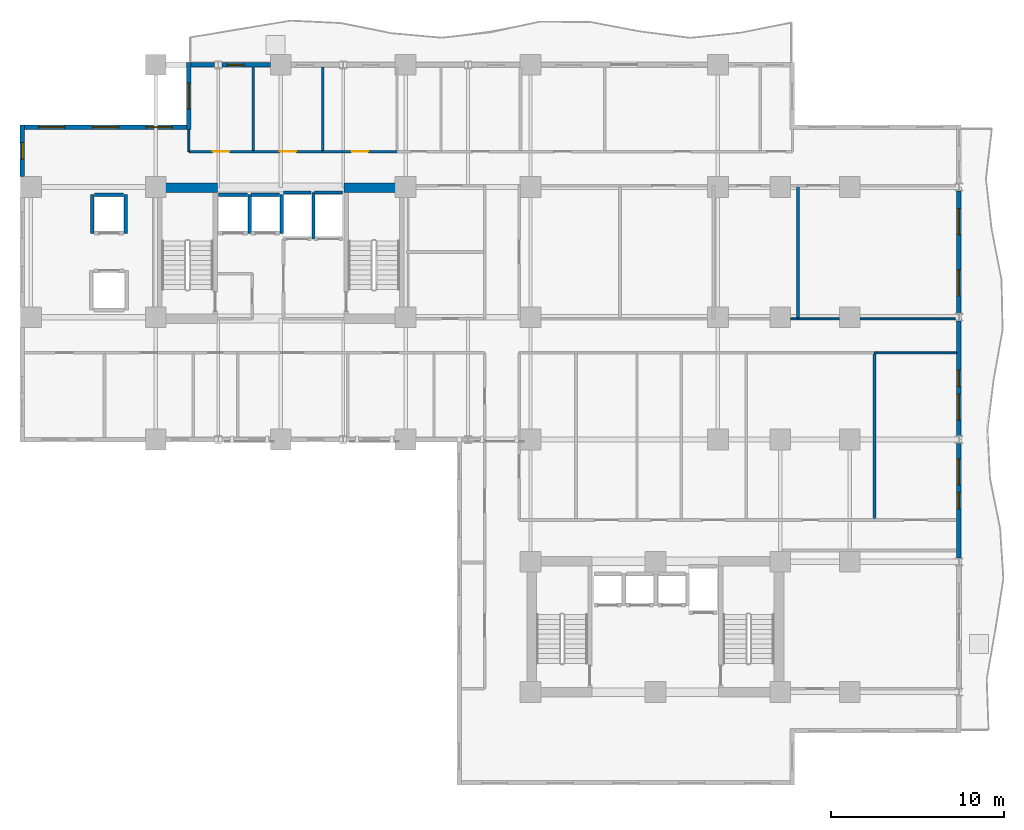
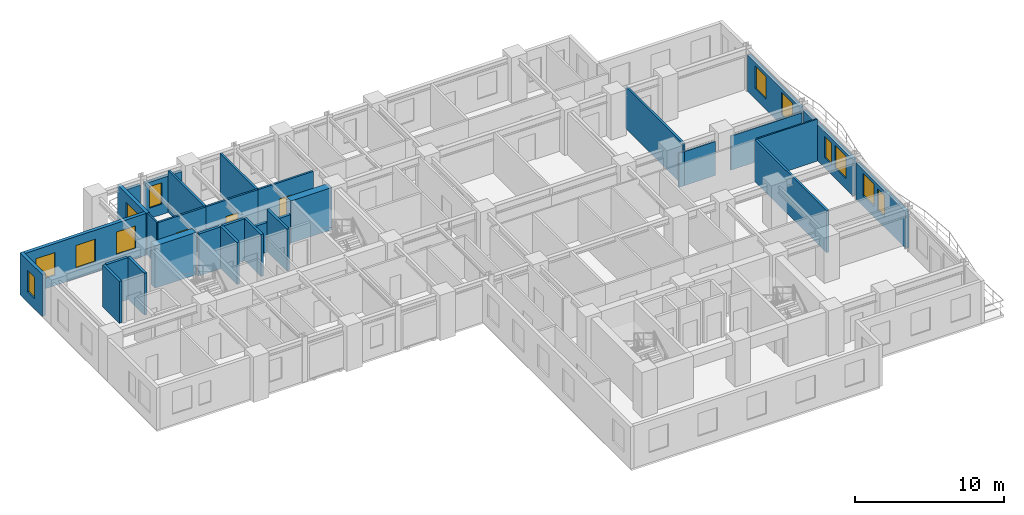
# One storey, part 6 of 11: 32 walls, 12 windows, 3 doors, 15 openings.
"""IFC4 building model written with IfcOpenShell, lengths in metres."""

import ifcopenshell
import ifcopenshell.guid

model = None  # the IFC model being written
_history = None  # IfcOwnerHistory: only IFC2X3 demands one
_inside = {}  # id of a spatial element -> (the spatial element, [elements in it])
_under = {}  # id of a project, library or spatial element -> (it, [spatial elements below it])
_declared = {}  # id of a project -> (the project, [libraries it declares])
_typed = {}  # id of a type object -> (the type object, [elements of that type])
_made_of = {}  # id of a material, layer set ... -> (it, [elements and type objects made of it])


def new_model(schema):
    """Start an empty IFC model of exactly this schema.

    Asked for "IFC4X3", IfcOpenShell would pick the latest addendum, in which some entities
    have other attributes; the version numbers below select the first issue.
    IFC2X3 requires an IfcOwnerHistory on every rooted entity: one is made here for all.
    """
    global model, _history
    if schema == "IFC4X3":
        model = ifcopenshell.file(schema_version=(4, 3, 0, 0))
    else:
        model = ifcopenshell.file(schema=schema)
    _inside.clear()
    _under.clear()
    _declared.clear()
    _typed.clear()
    _made_of.clear()
    _history = None
    if model.schema == "IFC2X3":
        org = make("IfcOrganization", Name="unknown")
        user = make(
            "IfcPersonAndOrganization",
            ThePerson=make("IfcPerson", FamilyName="unknown"),
            TheOrganization=org,
        )
        app = make(
            "IfcApplication",
            ApplicationDeveloper=org,
            Version="unknown",
            ApplicationFullName="unknown",
            ApplicationIdentifier="unknown",
        )
        _history = make(
            "IfcOwnerHistory",
            OwningUser=user,
            OwningApplication=app,
            ChangeAction="ADDED",
            CreationDate=0,
        )
    return model


def make(cls, **values):
    """One entity of the class cls with the attributes given. An attribute that is None is left unset."""
    return model.create_entity(
        cls, **{name: value for name, value in values.items() if value is not None}
    )


def rooted(cls, **values):
    """An entity with a GlobalId (a new one), such as an element, a storey or a relation."""
    return make(cls, GlobalId=ifcopenshell.guid.new(), OwnerHistory=_history, **values)


def si_unit(unit_type, name, prefix=None):
    """IfcSIUnit, for example si_unit("LENGTHUNIT", "METRE", prefix="MILLI")."""
    return make("IfcSIUnit", UnitType=unit_type, Prefix=prefix, Name=name)


def assignment(units):
    """IfcUnitAssignment: the units of a project."""
    return None if units is None else make("IfcUnitAssignment", Units=units)


def point(xyz):
    """IfcCartesianPoint."""
    return None if xyz is None else make("IfcCartesianPoint", Coordinates=xyz)


def direction(xyz):
    """IfcDirection."""
    return None if xyz is None else make("IfcDirection", DirectionRatios=xyz)


def frame(location, z_axis=None, x_axis=None):
    """IfcAxis2Placement3D, a coordinate frame: its origin and axes. An axis left out is left unset."""
    return make(
        "IfcAxis2Placement3D",
        Location=point(location),
        Axis=direction(z_axis),
        RefDirection=direction(x_axis),
    )


def frame_2d(location, x_axis=None):
    """IfcAxis2Placement2D, a coordinate frame in the plane: its origin and x axis."""
    return make(
        "IfcAxis2Placement2D", Location=point(location), RefDirection=direction(x_axis)
    )


def origin():
    """The frame at (0, 0, 0) with its axes left unset."""
    return frame((0.0, 0.0, 0.0))


def place(relative_to, where):
    """IfcLocalPlacement: puts the frame where relative to a parent placement (None: the world)."""
    return make(
        "IfcLocalPlacement", PlacementRelTo=relative_to, RelativePlacement=where
    )


def context(
    kind, dimensions, precision=None, world=None, true_north=None, identifier=None
):
    """IfcGeometricRepresentationContext, for example the 3D "Model" context."""
    return make(
        "IfcGeometricRepresentationContext",
        ContextIdentifier=identifier,
        ContextType=kind,
        CoordinateSpaceDimension=dimensions,
        Precision=precision,
        WorldCoordinateSystem=world,
        TrueNorth=true_north,
    )


def subcontext(parent, identifier, kind, view, scale=None):
    """IfcGeometricRepresentationSubContext, for example "Body" below "Model"."""
    return make(
        "IfcGeometricRepresentationSubContext",
        ContextIdentifier=identifier,
        ContextType=kind,
        ParentContext=parent,
        TargetScale=scale,
        TargetView=view,
    )


def project(units=None, contexts=None):
    """IfcProject with its units and contexts."""
    return rooted(
        "IfcProject",
        Name="project",
        RepresentationContexts=contexts,
        UnitsInContext=assignment(units),
    )


def spatial(cls, under=None, at=None, **own):
    """A site, building, storey or space (cls), placed at a placement, below another one or the project."""
    s = rooted(cls, ObjectPlacement=at, **own)
    if under is not None:
        _under.setdefault(under.id(), (under, []))[1].append(s)
    return s


def profile(cls, at=None, kind="AREA", **sizes):
    """A parametric profile (cls). Its sizes go by their IFC names, for example OverallWidth=200.0."""
    return make(cls, ProfileType=kind, Position=at, **sizes)


def rectangle(**sizes):
    """IfcRectangleProfileDef."""
    return profile("IfcRectangleProfileDef", **sizes)


def extrude(swept, where, along, depth):
    """IfcExtrudedAreaSolid: the profile swept, set in the frame where, extruded along a direction by depth."""
    return make(
        "IfcExtrudedAreaSolid",
        SweptArea=swept,
        Position=where,
        ExtrudedDirection=direction(along),
        Depth=depth,
    )


def shape(context_of_items, identifier, shape_type, items):
    """IfcShapeRepresentation: the items that make up one representation, for example the "Body"."""
    return make(
        "IfcShapeRepresentation",
        ContextOfItems=context_of_items,
        RepresentationIdentifier=identifier,
        RepresentationType=shape_type,
        Items=items,
    )


def material(Name=None, Category=None):
    """IfcMaterial."""
    return make("IfcMaterial", Name=Name, Category=Category)


def layer(
    of_material, thickness, ventilated=None, Name=None, Category=None, Priority=None
):
    """IfcMaterialLayer: one layer of a wall or slab, of a material (None: an air gap)."""
    return make(
        "IfcMaterialLayer",
        Material=of_material,
        LayerThickness=thickness,
        IsVentilated=ventilated,
        Name=Name,
        Category=Category,
        Priority=Priority,
    )


def layer_set(layers, Name=None):
    """IfcMaterialLayerSet."""
    return make("IfcMaterialLayerSet", MaterialLayers=layers, LayerSetName=Name)


def made_of(thing, what):
    """Note that an element or type object is made of a material, layer set ...; save() writes the relation."""
    if what is not None:
        _made_of.setdefault(what.id(), (what, []))[1].append(thing)
    return thing


def type_object(cls, material=None, **own):
    """A type object (cls), such as IfcWallType, which elements share."""
    return made_of(rooted(cls, **own), material)


def element(
    cls,
    number,
    at=None,
    inside=None,
    cuts=None,
    type_object=None,
    material=None,
    context=None,
    identifier="Body",
    shape_type=None,
    held_by="IfcProductDefinitionShape",
    body=None,
    shapes=None,
    **own,
):
    """One element of the class cls, such as IfcWall. Its Tag is "e" and its number.

    at: its placement. inside: the storey or other place that contains it. cuts: it is an
    opening in that element (IfcRelVoidsElement). A single representation is given by context,
    identifier, shape_type and body (its items); several are given by shapes. held_by: the class
    of the entity that holds the representations. save() writes the other relations.
    """
    e = rooted(cls, Tag="e%d" % number, ObjectPlacement=at, **own)
    if body is not None:
        shapes = [shape(context, identifier, shape_type, body)]
    if shapes is not None:
        e.Representation = make(held_by, Representations=shapes)
    if inside is not None:
        _inside.setdefault(inside.id(), (inside, []))[1].append(e)
    if cuts is not None:
        rooted(
            "IfcRelVoidsElement", RelatingBuildingElement=cuts, RelatedOpeningElement=e
        )
    if type_object is not None:
        _typed.setdefault(type_object.id(), (type_object, []))[1].append(e)
    return made_of(e, material)


def fill(opening, filler):
    """IfcRelFillsElement: the door or window that sits in an opening."""
    return rooted(
        "IfcRelFillsElement",
        RelatingOpeningElement=opening,
        RelatedBuildingElement=filler,
    )


def aggregate(whole, parts):
    """IfcRelAggregates: a whole, such as a stair, and the parts it consists of."""
    return rooted("IfcRelAggregates", RelatingObject=whole, RelatedObjects=parts)


def save(model, path):
    """Write the relations noted so far, then the file.

    IfcRelAggregates (storeys below a building ...), IfcRelContainedInSpatialStructure (elements
    in a storey), IfcRelDefinesByType, IfcRelAssociatesMaterial and IfcRelDeclares: one each for
    every whole, place, type object, material and project.
    """
    for whole, parts in _under.values():
        aggregate(whole, parts)
    for where, things in _inside.values():
        rooted(
            "IfcRelContainedInSpatialStructure",
            RelatedElements=things,
            RelatingStructure=where,
        )
    for kind, things in _typed.values():
        rooted("IfcRelDefinesByType", RelatedObjects=things, RelatingType=kind)
    for what, things in _made_of.values():
        rooted("IfcRelAssociatesMaterial", RelatedObjects=things, RelatingMaterial=what)
    for by, libraries in _declared.values():
        rooted("IfcRelDeclares", RelatingContext=by, RelatedDefinitions=libraries)
    model.write(path)


model = new_model("IFC4")

# Units and contexts
model_context = context("Model", 3, precision=1e-05, world=origin(), true_north=direction((0.0, 1.0)))
body_context = subcontext(model_context, "Body", "Model", "MODEL_VIEW")
ifc_project = project(units=[si_unit("LENGTHUNIT", "METRE"), si_unit("AREAUNIT", "SQUARE_METRE"), si_unit("VOLUMEUNIT", "CUBIC_METRE"), si_unit("PLANEANGLEUNIT", "RADIAN"), si_unit("MASSUNIT", "GRAM", prefix="KILO")], contexts=[model_context])

# Site, building, storey
site_placement = place(None, origin())
site = spatial("IfcSite", under=ifc_project, at=site_placement, CompositionType="ELEMENT")
building_placement = place(site_placement, origin())
building = spatial("IfcBuilding", under=site, at=building_placement, Name="Kaliganga Portal Commons", CompositionType="ELEMENT")
storey_placement = place(building_placement, frame((0.0, 0.0, 119.300048828125)))
storey = spatial("IfcBuildingStorey", under=building, at=storey_placement, Name="L30", CompositionType="ELEMENT", Elevation=119.300048828125)

# Walls
ifc_material_1 = material(Name="Concrete C60/75", Category="concrete")
ifc_layer_1 = layer(ifc_material_1, 0.550048828125)
ifc_layer_set_1 = layer_set([ifc_layer_1], Name="Concrete C60/75")
wall_type_1 = type_object("IfcWallType", Name="WL-CORE-550", PredefinedType="SHEAR", material=ifc_layer_set_1)
for number, where, z_axis, x_axis, name in (
    (1, (14.75, 36.125, 0.0), (0.0, 0.0, 1.0), (1.0, 0.0, 0.0), "Core A N-West Shear Wall L30"),
    (2, (25.25, 36.125, 0.0), (0.0, 0.0, 1.0), (1.0, 0.0, 0.0), "Core A N-East Shear Wall L30"),
):
    element("IfcWall", number, at=place(storey_placement, frame(where, z_axis=z_axis, x_axis=x_axis)), inside=storey, type_object=wall_type_1, Name=name, PredefinedType="SHEAR", context=body_context, shape_type="SweptSolid", body=[
        extrude(rectangle(XDim=3.199951171875, YDim=0.550048828125, at=frame_2d((1.60009765625, 0.0))), origin(), (0.0, 0.0, 1.0), 3.449951171875),
    ])

# Wall, openings, windows
ifc_material_2 = material(Name="Insulated Aluminium-Clad Spandrel Assembly", Category="aluminium")
ifc_layer_2 = layer(ifc_material_2, 0.260009765625)
ifc_layer_set_2 = layer_set([ifc_layer_2], Name="Insulated Aluminium-Clad Spandrel Assembly")
wall_type_2 = type_object("IfcWallType", Name="WL-EXT-SPAND-260", PredefinedType="STANDARD", material=ifc_layer_set_2)
wall_1_placement = place(storey_placement, frame((60.699951171875, 21.384033203125, 0.0), z_axis=(0.0, 0.0, 1.0), x_axis=(0.0, -1.0, 0.0)))
wall_1 = element("IfcWall", 3, at=wall_1_placement, inside=storey, type_object=wall_type_2, Name="Exterior Envelope Wall L30 P1-E03-S3", PredefinedType="STANDARD", context=body_context, shape_type="SweptSolid", body=[
    extrude(rectangle(XDim=6.617919921875, YDim=0.260009765625, at=frame_2d((3.30908203125, 0.0))), origin(), (0.0, 0.0, 1.0), 2.97998046875),
])
opening_1_placement = place(wall_1_placement, frame((0.904541015625, 0.0, 0.85009765625)))
opening_1 = element("IfcOpeningElement", 4, at=opening_1_placement, cuts=wall_1, Name="Opening W-02", PredefinedType="OPENING", context=body_context, shape_type="SweptSolid", body=[
    extrude(rectangle(XDim=1.5, YDim=1.85009765625, at=frame_2d((0.75, 0.925048828125))), frame((0.0, 0.14013671875, 0.0), z_axis=(0.0, -1.0, 0.0), x_axis=(1.0, 0.0, 0.0)), (0.0, 0.0, 1.0), 0.280029296875),
])
opening_2_placement = place(wall_1_placement, frame((2.833984375, 0.0, 0.85009765625)))
opening_2 = element("IfcOpeningElement", 5, at=opening_2_placement, cuts=wall_1, Name="Opening W-04", PredefinedType="OPENING", context=body_context, shape_type="SweptSolid", body=[
    extrude(rectangle(XDim=0.949951171875, YDim=1.75, at=frame_2d((0.47509765625, 0.875))), frame((0.0, 0.14013671875, 0.0), z_axis=(0.0, -1.0, 0.0), x_axis=(1.0, 0.0, 0.0)), (0.0, 0.0, 1.0), 0.280029296875),
])
ifc_material_3 = material(Name="Thermally Broken Aluminium and Low-E Double Glazing", Category="aluminium")
window_type_1 = type_object("IfcWindowType", Name="WIN-NARROW-950", PartitioningType="SINGLE_PANEL", PredefinedType="WINDOW", material=ifc_material_3)
window_1_placement = place(opening_2_placement, origin())
window_1 = element("IfcWindow", 6, at=window_1_placement, inside=storey, type_object=window_type_1, Name="Facade Window L30-P1E03S3-N0", OverallHeight=1.75, OverallWidth=0.949951171875, PartitioningType="SINGLE_PANEL", PredefinedType="WINDOW", context=body_context, shape_type="SweptSolid", body=[
    extrude(rectangle(XDim=0.949951171875, YDim=1.75, at=frame_2d((0.47509765625, 0.875))), frame((0.0, 0.030029296875, 0.0), z_axis=(0.0, -1.0, 0.0), x_axis=(1.0, 0.0, 0.0)), (0.0, 0.0, 1.0), 0.06005859375),
])
fill(opening_2, window_1)
window_type_2 = type_object("IfcWindowType", Name="WIN-STD-1500", PartitioningType="DOUBLE_PANEL_VERTICAL", PredefinedType="WINDOW", material=ifc_material_3)
window_2_placement = place(opening_1_placement, origin())
window_2 = element("IfcWindow", 7, at=window_2_placement, inside=storey, type_object=window_type_2, Name="Facade Window L30-P1E03S3-00", OverallHeight=1.85009765625, OverallWidth=1.5, PartitioningType="SINGLE_PANEL", PredefinedType="WINDOW", context=body_context, shape_type="SweptSolid", body=[
    extrude(rectangle(XDim=1.5, YDim=1.85009765625, at=frame_2d((0.75, 0.925048828125))), frame((0.0, 0.030029296875, 0.0), z_axis=(0.0, -1.0, 0.0), x_axis=(1.0, 0.0, 0.0)), (0.0, 0.0, 1.0), 0.06005859375),
])
fill(opening_1, window_2)

wall_2_placement = place(storey_placement, frame((60.699951171875, 28.43408203125, 0.0), z_axis=(0.0, 0.0, 1.0), x_axis=(0.0, -1.0, 0.0)))
wall_2 = element("IfcWall", 8, at=wall_2_placement, inside=storey, type_object=wall_type_2, Name="Exterior Envelope Wall L30 P1-E03-S4", PredefinedType="STANDARD", context=body_context, shape_type="SweptSolid", body=[
    extrude(rectangle(XDim=6.6181640625, YDim=0.260009765625, at=frame_2d((3.30908203125, 0.0))), origin(), (0.0, 0.0, 1.0), 2.97998046875),
])
opening_3_placement = place(wall_2_placement, frame((4.21337890625, 0.0, 0.85009765625)))
opening_3 = element("IfcOpeningElement", 9, at=opening_3_placement, cuts=wall_2, Name="Opening W-02", PredefinedType="OPENING", context=body_context, shape_type="SweptSolid", body=[
    extrude(rectangle(XDim=1.5, YDim=1.85009765625, at=frame_2d((0.75, 0.925048828125))), frame((0.0, 0.14013671875, 0.0), z_axis=(0.0, -1.0, 0.0), x_axis=(1.0, 0.0, 0.0)), (0.0, 0.0, 1.0), 0.280029296875),
])
opening_4_placement = place(wall_2_placement, frame((2.833984375, 0.0, 0.85009765625)))
opening_4 = element("IfcOpeningElement", 10, at=opening_4_placement, cuts=wall_2, Name="Opening W-04", PredefinedType="OPENING", context=body_context, shape_type="SweptSolid", body=[
    extrude(rectangle(XDim=0.949951171875, YDim=1.75, at=frame_2d((0.47509765625, 0.875))), frame((0.0, 0.14013671875, 0.0), z_axis=(0.0, -1.0, 0.0), x_axis=(1.0, 0.0, 0.0)), (0.0, 0.0, 1.0), 0.280029296875),
])
window_3_placement = place(opening_4_placement, origin())
window_3 = element("IfcWindow", 11, at=window_3_placement, inside=storey, type_object=window_type_1, Name="Facade Window L30-P1E03S4-N0", OverallHeight=1.75, OverallWidth=0.949951171875, PartitioningType="SINGLE_PANEL", PredefinedType="WINDOW", context=body_context, shape_type="SweptSolid", body=[
    extrude(rectangle(XDim=0.949951171875, YDim=1.75, at=frame_2d((0.47509765625, 0.875))), frame((0.0, 0.030029296875, 0.0), z_axis=(0.0, -1.0, 0.0), x_axis=(1.0, 0.0, 0.0)), (0.0, 0.0, 1.0), 0.06005859375),
])
fill(opening_4, window_3)
window_4_placement = place(opening_3_placement, origin())
window_4 = element("IfcWindow", 12, at=window_4_placement, inside=storey, type_object=window_type_2, Name="Facade Window L30-P1E03S4-01", OverallHeight=1.85009765625, OverallWidth=1.5, PartitioningType="SINGLE_PANEL", PredefinedType="WINDOW", context=body_context, shape_type="SweptSolid", body=[
    extrude(rectangle(XDim=1.5, YDim=1.85009765625, at=frame_2d((0.75, 0.925048828125))), frame((0.0, 0.030029296875, 0.0), z_axis=(0.0, -1.0, 0.0), x_axis=(1.0, 0.0, 0.0)), (0.0, 0.0, 1.0), 0.06005859375),
])
fill(opening_3, window_4)

wall_3_placement = place(storey_placement, frame((60.699951171875, 35.93408203125, 0.0), z_axis=(0.0, 0.0, 1.0), x_axis=(0.0, -1.0, 0.0)))
wall_3 = element("IfcWall", 13, at=wall_3_placement, inside=storey, type_object=wall_type_2, Name="Exterior Envelope Wall L30 P1-E03-S5", PredefinedType="STANDARD", context=body_context, shape_type="SweptSolid", body=[
    extrude(rectangle(XDim=7.068115234375, YDim=0.260009765625, at=frame_2d((3.5341796875, 0.0))), origin(), (0.0, 0.0, 1.0), 2.97998046875),
])
opening_5_placement = place(wall_3_placement, frame((1.01708984375, 0.0, 0.85009765625)))
opening_5 = element("IfcOpeningElement", 14, at=opening_5_placement, cuts=wall_3, Name="Opening W-02", PredefinedType="OPENING", context=body_context, shape_type="SweptSolid", body=[
    extrude(rectangle(XDim=1.5, YDim=1.85009765625, at=frame_2d((0.75, 0.925048828125))), frame((0.0, 0.14013671875, 0.0), z_axis=(0.0, -1.0, 0.0), x_axis=(1.0, 0.0, 0.0)), (0.0, 0.0, 1.0), 0.280029296875),
])
opening_6_placement = place(wall_3_placement, frame((4.551025390625, 0.0, 0.85009765625)))
opening_6 = element("IfcOpeningElement", 15, at=opening_6_placement, cuts=wall_3, Name="Opening W-02", PredefinedType="OPENING", context=body_context, shape_type="SweptSolid", body=[
    extrude(rectangle(XDim=1.5, YDim=1.85009765625, at=frame_2d((0.75, 0.925048828125))), frame((0.0, 0.14013671875, 0.0), z_axis=(0.0, -1.0, 0.0), x_axis=(1.0, 0.0, 0.0)), (0.0, 0.0, 1.0), 0.280029296875),
])
window_5_placement = place(opening_5_placement, origin())
window_5 = element("IfcWindow", 16, at=window_5_placement, inside=storey, type_object=window_type_2, Name="Facade Window L30-P1E03S5-00", OverallHeight=1.85009765625, OverallWidth=1.5, PartitioningType="SINGLE_PANEL", PredefinedType="WINDOW", context=body_context, shape_type="SweptSolid", body=[
    extrude(rectangle(XDim=1.5, YDim=1.85009765625, at=frame_2d((0.75, 0.925048828125))), frame((0.0, 0.030029296875, 0.0), z_axis=(0.0, -1.0, 0.0), x_axis=(1.0, 0.0, 0.0)), (0.0, 0.0, 1.0), 0.06005859375),
])
fill(opening_5, window_5)
window_6_placement = place(opening_6_placement, origin())
window_6 = element("IfcWindow", 17, at=window_6_placement, inside=storey, type_object=window_type_2, Name="Facade Window L30-P1E03S5-01", OverallHeight=1.85009765625, OverallWidth=1.5, PartitioningType="SINGLE_PANEL", PredefinedType="WINDOW", context=body_context, shape_type="SweptSolid", body=[
    extrude(rectangle(XDim=1.5, YDim=1.85009765625, at=frame_2d((0.75, 0.925048828125))), frame((0.0, 0.030029296875, 0.0), z_axis=(0.0, -1.0, 0.0), x_axis=(1.0, 0.0, 0.0)), (0.0, 0.0, 1.0), 0.06005859375),
])
fill(opening_6, window_6)

# Wall, opening, window
wall_4_placement = place(storey_placement, frame((18.20556640625, 43.199951171875, 0.0), z_axis=(0.0, 0.0, 1.0), x_axis=(1.0, 0.0, 0.0)))
wall_4 = element("IfcWall", 18, at=wall_4_placement, inside=storey, type_object=wall_type_2, Name="Exterior Envelope Wall L30 P1-E06-S7", PredefinedType="STANDARD", context=body_context, shape_type="SweptSolid", body=[
    extrude(rectangle(XDim=2.79345703125, YDim=0.260009765625, at=frame_2d((1.396728515625, 0.0))), origin(), (0.0, 0.0, 1.0), 2.97998046875),
])
opening_7_placement = place(wall_4_placement, frame((0.30712890625, 0.0, 0.85009765625)))
opening_7 = element("IfcOpeningElement", 19, at=opening_7_placement, cuts=wall_4, Name="Opening W-04", PredefinedType="OPENING", context=body_context, shape_type="SweptSolid", body=[
    extrude(rectangle(XDim=0.949951171875, YDim=1.75, at=frame_2d((0.47509765625, 0.875))), frame((0.0, 0.14013671875, 0.0), z_axis=(0.0, -1.0, 0.0), x_axis=(1.0, 0.0, 0.0)), (0.0, 0.0, 1.0), 0.280029296875),
])
window_7_placement = place(opening_7_placement, origin())
window_7 = element("IfcWindow", 20, at=window_7_placement, inside=storey, type_object=window_type_1, Name="Facade Window L30-P1E06S7-N3", OverallHeight=1.75, OverallWidth=0.949951171875, PartitioningType="SINGLE_PANEL", PredefinedType="WINDOW", context=body_context, shape_type="SweptSolid", body=[
    extrude(rectangle(XDim=0.949951171875, YDim=1.75, at=frame_2d((0.47509765625, 0.875))), frame((0.0, 0.030029296875, 0.0), z_axis=(0.0, -1.0, 0.0), x_axis=(1.0, 0.0, 0.0)), (0.0, 0.0, 1.0), 0.06005859375),
])
fill(opening_7, window_7)

# Wall
wall_5_placement = place(storey_placement, frame((16.43505859375, 43.199951171875, 0.0), z_axis=(0.0, 0.0, 1.0), x_axis=(1.0, 0.0, 0.0)))
element("IfcWall", 21, at=wall_5_placement, inside=storey, type_object=wall_type_2, Name="Exterior Envelope Wall L30 P1-E06-S8", PredefinedType="STANDARD", context=body_context, shape_type="SweptSolid", body=[
    extrude(rectangle(XDim=1.359375, YDim=0.260009765625, at=frame_2d((0.6796875, 0.0))), origin(), (0.0, 0.0, 1.0), 2.97998046875),
])

# Wall, opening, window
wall_6_placement = place(storey_placement, frame((16.300048828125, 39.469970703125, 0.0), z_axis=(0.0, 0.0, 1.0), x_axis=(0.0, 1.0, 0.0)))
wall_6 = element("IfcWall", 22, at=wall_6_placement, inside=storey, type_object=wall_type_2, Name="Exterior Envelope Wall L30 P1-E07-S1", PredefinedType="STANDARD", context=body_context, shape_type="SweptSolid", body=[
    extrude(rectangle(XDim=3.860107421875, YDim=0.260009765625, at=frame_2d((1.93017578125, 0.0))), origin(), (0.0, 0.0, 1.0), 3.429931640625),
])
opening_8_placement = place(wall_6_placement, frame((1.179931640625, 0.0, 0.85009765625)))
opening_8 = element("IfcOpeningElement", 23, at=opening_8_placement, cuts=wall_6, Name="Opening W-02", PredefinedType="OPENING", context=body_context, shape_type="SweptSolid", body=[
    extrude(rectangle(XDim=1.5, YDim=1.85009765625, at=frame_2d((0.75, 0.925048828125))), frame((0.0, 0.14013671875, 0.0), z_axis=(0.0, -1.0, 0.0), x_axis=(1.0, 0.0, 0.0)), (0.0, 0.0, 1.0), 0.280029296875),
])
window_8_placement = place(opening_8_placement, origin())
window_8 = element("IfcWindow", 24, at=window_8_placement, inside=storey, type_object=window_type_2, Name="Facade Window L30-P1E07S1-00", OverallHeight=1.85009765625, OverallWidth=1.5, PartitioningType="SINGLE_PANEL", PredefinedType="WINDOW", context=body_context, shape_type="SweptSolid", body=[
    extrude(rectangle(XDim=1.5, YDim=1.85009765625, at=frame_2d((0.75, 0.925048828125))), frame((0.0, 0.030029296875, 0.0), z_axis=(0.0, -1.0, 0.0), x_axis=(1.0, 0.0, 0.0)), (0.0, 0.0, 1.0), 0.06005859375),
])
fill(opening_8, window_8)

# Wall, openings, windows
wall_7_placement = place(storey_placement, frame((6.8349609375, 39.60009765625, 0.0), z_axis=(0.0, 0.0, 1.0), x_axis=(1.0, 0.0, 0.0)))
wall_7 = element("IfcWall", 25, at=wall_7_placement, inside=storey, type_object=wall_type_2, Name="Exterior Envelope Wall L30 P1-E08-S1", PredefinedType="STANDARD", context=body_context, shape_type="SweptSolid", body=[
    extrude(rectangle(XDim=9.330078125, YDim=0.260009765625, at=frame_2d((4.6650390625, 0.0))), origin(), (0.0, 0.0, 1.0), 3.429931640625),
])
opening_9_placement = place(wall_7_placement, frame((0.804931640625, 0.0, 0.85009765625)))
opening_9 = element("IfcOpeningElement", 26, at=opening_9_placement, cuts=wall_7, Name="Opening W-02", PredefinedType="OPENING", context=body_context, shape_type="SweptSolid", body=[
    extrude(rectangle(XDim=1.5, YDim=1.85009765625, at=frame_2d((0.75, 0.925048828125))), frame((0.0, 0.14013671875, 0.0), z_axis=(0.0, -1.0, 0.0), x_axis=(1.0, 0.0, 0.0)), (0.0, 0.0, 1.0), 0.280029296875),
])
opening_10_placement = place(wall_7_placement, frame((3.9150390625, 0.0, 0.85009765625)))
opening_10 = element("IfcOpeningElement", 27, at=opening_10_placement, cuts=wall_7, Name="Opening W-02", PredefinedType="OPENING", context=body_context, shape_type="SweptSolid", body=[
    extrude(rectangle(XDim=1.5, YDim=1.85009765625, at=frame_2d((0.75, 0.925048828125))), frame((0.0, 0.14013671875, 0.0), z_axis=(0.0, -1.0, 0.0), x_axis=(1.0, 0.0, 0.0)), (0.0, 0.0, 1.0), 0.280029296875),
])
opening_11_placement = place(wall_7_placement, frame((7.02490234375, 0.0, 0.85009765625)))
opening_11 = element("IfcOpeningElement", 28, at=opening_11_placement, cuts=wall_7, Name="Opening W-02", PredefinedType="OPENING", context=body_context, shape_type="SweptSolid", body=[
    extrude(rectangle(XDim=1.5, YDim=1.85009765625, at=frame_2d((0.75, 0.925048828125))), frame((0.0, 0.14013671875, 0.0), z_axis=(0.0, -1.0, 0.0), x_axis=(1.0, 0.0, 0.0)), (0.0, 0.0, 1.0), 0.280029296875),
])
window_9_placement = place(opening_9_placement, origin())
window_9 = element("IfcWindow", 29, at=window_9_placement, inside=storey, type_object=window_type_2, Name="Facade Window L30-P1E08S1-00", OverallHeight=1.85009765625, OverallWidth=1.5, PartitioningType="SINGLE_PANEL", PredefinedType="WINDOW", context=body_context, shape_type="SweptSolid", body=[
    extrude(rectangle(XDim=1.5, YDim=1.85009765625, at=frame_2d((0.75, 0.925048828125))), frame((0.0, 0.030029296875, 0.0), z_axis=(0.0, -1.0, 0.0), x_axis=(1.0, 0.0, 0.0)), (0.0, 0.0, 1.0), 0.06005859375),
])
fill(opening_9, window_9)
window_10_placement = place(opening_10_placement, origin())
window_10 = element("IfcWindow", 30, at=window_10_placement, inside=storey, type_object=window_type_2, Name="Facade Window L30-P1E08S1-01", OverallHeight=1.85009765625, OverallWidth=1.5, PartitioningType="SINGLE_PANEL", PredefinedType="WINDOW", context=body_context, shape_type="SweptSolid", body=[
    extrude(rectangle(XDim=1.5, YDim=1.85009765625, at=frame_2d((0.75, 0.925048828125))), frame((0.0, 0.030029296875, 0.0), z_axis=(0.0, -1.0, 0.0), x_axis=(1.0, 0.0, 0.0)), (0.0, 0.0, 1.0), 0.06005859375),
])
fill(opening_10, window_10)
window_11_placement = place(opening_11_placement, origin())
window_11 = element("IfcWindow", 31, at=window_11_placement, inside=storey, type_object=window_type_2, Name="Facade Window L30-P1E08S1-02", OverallHeight=1.85009765625, OverallWidth=1.5, PartitioningType="SINGLE_PANEL", PredefinedType="WINDOW", context=body_context, shape_type="SweptSolid", body=[
    extrude(rectangle(XDim=1.5, YDim=1.85009765625, at=frame_2d((0.75, 0.925048828125))), frame((0.0, 0.030029296875, 0.0), z_axis=(0.0, -1.0, 0.0), x_axis=(1.0, 0.0, 0.0)), (0.0, 0.0, 1.0), 0.06005859375),
])
fill(opening_11, window_11)

# Wall, opening, window
wall_8_placement = place(storey_placement, frame((6.699951171875, 36.7509765625, 0.0), z_axis=(0.0, 0.0, 1.0), x_axis=(0.0, 1.0, 0.0)))
wall_8 = element("IfcWall", 32, at=wall_8_placement, inside=storey, type_object=wall_type_2, Name="Exterior Envelope Wall L30 P1-E09-S1", PredefinedType="STANDARD", context=body_context, shape_type="SweptSolid", body=[
    extrude(rectangle(XDim=2.97900390625, YDim=0.260009765625, at=frame_2d((1.489501953125, 0.0))), origin(), (0.0, 0.0, 1.0), 3.429931640625),
])
opening_12_placement = place(wall_8_placement, frame((1.014404296875, 0.0, 0.85009765625)))
opening_12 = element("IfcOpeningElement", 33, at=opening_12_placement, cuts=wall_8, Name="Opening W-04", PredefinedType="OPENING", context=body_context, shape_type="SweptSolid", body=[
    extrude(rectangle(XDim=0.949951171875, YDim=1.75, at=frame_2d((0.47509765625, 0.875))), frame((0.0, 0.14013671875, 0.0), z_axis=(0.0, -1.0, 0.0), x_axis=(1.0, 0.0, 0.0)), (0.0, 0.0, 1.0), 0.280029296875),
])
window_12_placement = place(opening_12_placement, origin())
window_12 = element("IfcWindow", 34, at=window_12_placement, inside=storey, type_object=window_type_1, Name="Facade Window L30-P1E09S1-00", OverallHeight=1.75, OverallWidth=0.949951171875, PartitioningType="SINGLE_PANEL", PredefinedType="WINDOW", context=body_context, shape_type="SweptSolid", body=[
    extrude(rectangle(XDim=0.949951171875, YDim=1.75, at=frame_2d((0.47509765625, 0.875))), frame((0.0, 0.030029296875, 0.0), z_axis=(0.0, -1.0, 0.0), x_axis=(1.0, 0.0, 0.0)), (0.0, 0.0, 1.0), 0.06005859375),
])
fill(opening_12, window_12)

# Wall, opening, door
ifc_material_4 = material(Name="Fire-Rated Gypsum Board on Steel Stud", Category="steel")
ifc_layer_3 = layer(ifc_material_4, 0.14990234375)
ifc_layer_set_3 = layer_set([ifc_layer_3], Name="Fire-Rated Gypsum Board on Steel Stud")
wall_type_3 = type_object("IfcWallType", Name="WL-PART-CORR-150", PredefinedType="PARTITIONING", material=ifc_layer_set_3)
wall_9_placement = place(storey_placement, frame((24.02001953125, 38.199951171875, 0.0), z_axis=(0.0, 0.0, 1.0), x_axis=(1.0, 0.0, 0.0)))
wall_9 = element("IfcWall", 35, at=wall_9_placement, inside=storey, type_object=wall_type_3, Name="Interior Partition L30-026", PredefinedType="PARTITIONING", context=body_context, shape_type="SweptSolid", body=[
    extrude(rectangle(XDim=4.280029296875, YDim=0.14990234375, at=frame_2d((2.14013671875, 0.0))), origin(), (0.0, 0.0, 1.0), 3.429931640625),
])
opening_13_placement = place(wall_9_placement, frame((1.6650390625, 0.0, 0.0)))
opening_13 = element("IfcOpeningElement", 36, at=opening_13_placement, cuts=wall_9, Name="Opening UD-01", PredefinedType="OPENING", context=body_context, shape_type="SweptSolid", body=[
    extrude(rectangle(XDim=0.949951171875, YDim=2.10009765625, at=frame_2d((0.47509765625, 1.050048828125))), frame((0.0, 0.0849609375, 0.0), z_axis=(0.0, -1.0, 0.0), x_axis=(1.0, 0.0, 0.0)), (0.0, 0.0, 1.0), 0.169921875),
])
ifc_material_5 = material(Name="Solid-Core Timber Acoustic Fire Door", Category="wood")
door_type = type_object("IfcDoorType", Name="DR-UNIT-950", OperationType="NOTDEFINED", PredefinedType="DOOR", material=ifc_material_5)
door_1_placement = place(opening_13_placement, origin())
door_1 = element("IfcDoor", 37, at=door_1_placement, inside=storey, type_object=door_type, Name="Interior Door L30-AN03", OperationType="SINGLE_SWING_RIGHT", OverallHeight=2.10009765625, OverallWidth=0.949951171875, PredefinedType="DOOR", context=body_context, shape_type="SweptSolid", body=[
    extrude(rectangle(XDim=0.949951171875, YDim=2.10009765625, at=frame_2d((0.47509765625, 1.050048828125))), frame((0.0, 0.02490234375, 0.0), z_axis=(0.0, -1.0, 0.0), x_axis=(1.0, 0.0, 0.0)), (0.0, 0.0, 1.0), 0.050048828125),
])
fill(opening_13, door_1)

wall_10_placement = place(storey_placement, frame((20.02001953125, 38.199951171875, 0.0), z_axis=(0.0, 0.0, 1.0), x_axis=(1.0, 0.0, 0.0)))
wall_10 = element("IfcWall", 38, at=wall_10_placement, inside=storey, type_object=wall_type_3, Name="Interior Partition L30-027", PredefinedType="PARTITIONING", context=body_context, shape_type="SweptSolid", body=[
    extrude(rectangle(XDim=4.0, YDim=0.14990234375, at=frame_2d((2.0, 0.0))), origin(), (0.0, 0.0, 1.0), 3.429931640625),
])
opening_14_placement = place(wall_10_placement, frame((1.52490234375, 0.0, 0.0)))
opening_14 = element("IfcOpeningElement", 39, at=opening_14_placement, cuts=wall_10, Name="Opening UD-01", PredefinedType="OPENING", context=body_context, shape_type="SweptSolid", body=[
    extrude(rectangle(XDim=0.949951171875, YDim=2.10009765625, at=frame_2d((0.47509765625, 1.050048828125))), frame((0.0, 0.0849609375, 0.0), z_axis=(0.0, -1.0, 0.0), x_axis=(1.0, 0.0, 0.0)), (0.0, 0.0, 1.0), 0.169921875),
])
door_2_placement = place(opening_14_placement, origin())
door_2 = element("IfcDoor", 40, at=door_2_placement, inside=storey, type_object=door_type, Name="Interior Door L30-AN02", OperationType="SINGLE_SWING_LEFT", OverallHeight=2.10009765625, OverallWidth=0.949951171875, PredefinedType="DOOR", context=body_context, shape_type="SweptSolid", body=[
    extrude(rectangle(XDim=0.949951171875, YDim=2.10009765625, at=frame_2d((0.47509765625, 1.050048828125))), frame((0.0, 0.02490234375, 0.0), z_axis=(0.0, -1.0, 0.0), x_axis=(1.0, 0.0, 0.0)), (0.0, 0.0, 1.0), 0.050048828125),
])
fill(opening_14, door_2)

wall_11_placement = place(storey_placement, frame((16.300048828125, 38.199951171875, 0.0), z_axis=(0.0, 0.0, 1.0), x_axis=(1.0, 0.0, 0.0)))
wall_11 = element("IfcWall", 41, at=wall_11_placement, inside=storey, type_object=wall_type_3, Name="Interior Partition L30-031", PredefinedType="PARTITIONING", context=body_context, shape_type="SweptSolid", body=[
    extrude(rectangle(XDim=3.719970703125, YDim=0.14990234375, at=frame_2d((1.85986328125, 0.0))), origin(), (0.0, 0.0, 1.0), 3.429931640625),
])
opening_15_placement = place(wall_11_placement, frame((1.385009765625, 0.0, 0.0)))
opening_15 = element("IfcOpeningElement", 42, at=opening_15_placement, cuts=wall_11, Name="Opening UD-01", PredefinedType="OPENING", context=body_context, shape_type="SweptSolid", body=[
    extrude(rectangle(XDim=0.949951171875, YDim=2.10009765625, at=frame_2d((0.47509765625, 1.050048828125))), frame((0.0, 0.0849609375, 0.0), z_axis=(0.0, -1.0, 0.0), x_axis=(1.0, 0.0, 0.0)), (0.0, 0.0, 1.0), 0.169921875),
])
door_3_placement = place(opening_15_placement, origin())
door_3 = element("IfcDoor", 43, at=door_3_placement, inside=storey, type_object=door_type, Name="Interior Door L30-AN01", OperationType="SINGLE_SWING_LEFT", OverallHeight=2.10009765625, OverallWidth=0.949951171875, PredefinedType="DOOR", context=body_context, shape_type="SweptSolid", body=[
    extrude(rectangle(XDim=0.949951171875, YDim=2.10009765625, at=frame_2d((0.47509765625, 1.050048828125))), frame((0.0, 0.02490234375, 0.0), z_axis=(0.0, -1.0, 0.0), x_axis=(1.0, 0.0, 0.0)), (0.0, 0.0, 1.0), 0.050048828125),
])
fill(opening_15, door_3)

# Walls
ifc_material_6 = material(Name="Moisture-Resistant Gypsum Partition", Category="gypsum")
ifc_layer_4 = layer(ifc_material_6, 0.114990234375)
ifc_layer_set_4 = layer_set([ifc_layer_4], Name="Moisture-Resistant Gypsum Partition")
wall_type_4 = type_object("IfcWallType", Name="WL-PART-ROOM-115", PredefinedType="PARTITIONING", material=ifc_layer_set_4)
wall_12_placement = place(storey_placement, frame((51.419921875, 28.56005859375, 0.0), z_axis=(0.0, 0.0, 1.0), x_axis=(1.0, 0.0, 0.0)))
element("IfcWall", 44, at=wall_12_placement, inside=storey, type_object=wall_type_4, Name="Interior Partition L30-048", PredefinedType="PARTITIONING", context=body_context, shape_type="SweptSolid", body=[
    extrude(rectangle(XDim=2.380126953125, YDim=0.114990234375, at=frame_2d((1.18994140625, 0.0))), origin(), (0.0, 0.0, 1.0), 2.780029296875),
])
wall_13_placement = place(storey_placement, frame((55.0, 28.56005859375, 0.0), z_axis=(0.0, 0.0, 1.0), x_axis=(1.0, 0.0, 0.0)))
element("IfcWall", 45, at=wall_13_placement, inside=storey, type_object=wall_type_4, Name="Interior Partition L30-049", PredefinedType="PARTITIONING", context=body_context, shape_type="SweptSolid", body=[
    extrude(rectangle(XDim=5.49560546875, YDim=0.114990234375, at=frame_2d((2.747802734375, 0.0))), origin(), (0.0, 0.0, 1.0), 2.780029296875),
])
wall_14_placement = place(storey_placement, frame((16.300048828125, 38.199951171875, 0.0), z_axis=(0.0, 0.0, 1.0), x_axis=(0.0, 1.0, 0.0)))
element("IfcWall", 46, at=wall_14_placement, inside=storey, type_object=wall_type_4, Name="Interior Partition L30-057", PredefinedType="PARTITIONING", context=body_context, shape_type="SweptSolid", body=[
    extrude(rectangle(XDim=1.26806640625, YDim=0.114990234375, at=frame_2d((0.634033203125, 0.0))), origin(), (0.0, 0.0, 1.0), 3.429931640625),
])
wall_15_placement = place(storey_placement, frame((55.820068359375, 26.60009765625, 0.0), z_axis=(0.0, 0.0, 1.0), x_axis=(1.0, 0.0, 0.0)))
element("IfcWall", 47, at=wall_15_placement, inside=storey, type_object=wall_type_4, Name="Interior Partition L30-070", PredefinedType="PARTITIONING", context=body_context, shape_type="SweptSolid", body=[
    extrude(rectangle(XDim=4.748046875, YDim=0.114990234375, at=frame_2d((2.3740234375, 0.0))), origin(), (0.0, 0.0, 1.0), 3.429931640625),
])
wall_16_placement = place(storey_placement, frame((51.0, 28.56005859375, 0.0), z_axis=(0.0, 0.0, 1.0), x_axis=(1.0, 0.0, 0.0)))
element("IfcWall", 48, at=wall_16_placement, inside=storey, type_object=wall_type_4, Name="Interior Partition L30-072", PredefinedType="PARTITIONING", context=body_context, shape_type="SweptSolid", body=[
    extrude(rectangle(XDim=0.419921875, YDim=0.114990234375, at=frame_2d((0.2099609375, 0.0))), origin(), (0.0, 0.0, 1.0), 2.780029296875),
])
ifc_material_7 = material(Name="Twin-Stud Acoustic Gypsum Partition", Category="gypsum")
ifc_layer_5 = layer(ifc_material_7, 0.1650390625)
ifc_layer_set_5 = layer_set([ifc_layer_5], Name="Twin-Stud Acoustic Gypsum Partition")
wall_type_5 = type_object("IfcWallType", Name="WL-PART-UNIT-165", PredefinedType="PARTITIONING", material=ifc_layer_set_5)
wall_17_placement = place(storey_placement, frame((55.820068359375, 16.9599609375, 0.0), z_axis=(0.0, 0.0, 1.0), x_axis=(0.0, 1.0, 0.0)))
element("IfcWall", 49, at=wall_17_placement, inside=storey, type_object=wall_type_5, Name="Interior Partition L30-047", PredefinedType="PARTITIONING", context=body_context, shape_type="SweptSolid", body=[
    extrude(rectangle(XDim=9.64013671875, YDim=0.1650390625, at=frame_2d((4.820068359375, 0.0))), origin(), (0.0, 0.0, 1.0), 3.429931640625),
])
wall_18_placement = place(storey_placement, frame((51.419921875, 28.56005859375, 0.0), z_axis=(0.0, 0.0, 1.0), x_axis=(0.0, 1.0, 0.0)))
element("IfcWall", 50, at=wall_18_placement, inside=storey, type_object=wall_type_5, Name="Interior Partition L30-052", PredefinedType="PARTITIONING", context=body_context, shape_type="SweptSolid", body=[
    extrude(rectangle(XDim=7.679931640625, YDim=0.1650390625, at=frame_2d((3.83984375, 0.0))), origin(), (0.0, 0.0, 1.0), 3.429931640625),
])
for number, where, z_axis, x_axis, name in (
    (51, (20.02001953125, 38.199951171875, 0.0), (0.0, 0.0, 1.0), (0.0, 1.0, 0.0), "Interior Partition L30-060"),
    (52, (24.02001953125, 38.199951171875, 0.0), (0.0, 0.0, 1.0), (0.0, 1.0, 0.0), "Interior Partition L30-061"),
):
    element("IfcWall", number, at=place(storey_placement, frame(where, z_axis=z_axis, x_axis=x_axis)), inside=storey, type_object=wall_type_5, Name=name, PredefinedType="PARTITIONING", context=body_context, shape_type="SweptSolid", body=[
        extrude(rectangle(XDim=4.8681640625, YDim=0.1650390625, at=frame_2d((2.43408203125, 0.0))), origin(), (0.0, 0.0, 1.0), 3.429931640625),
    ])
ifc_material_8 = material(Name="Fire-Rated Shaftwall Masonry Assembly", Category="masonry")
ifc_layer_6 = layer(ifc_material_8, 0.199951171875)
ifc_layer_set_6 = layer_set([ifc_layer_6], Name="Fire-Rated Shaftwall Masonry Assembly")
wall_type_6 = type_object("IfcWallType", Name="WL-SHAFT-200", PredefinedType="PARTITIONING", material=ifc_layer_set_6)
wall_19_placement = place(storey_placement, frame((18.02490234375, 35.715087890625, 0.0), z_axis=(0.0, 0.0, 1.0), x_axis=(1.0, 0.0, 0.0)))
element("IfcWall", 53, at=wall_19_placement, inside=storey, type_object=wall_type_6, Name="Lift PL-A1 Hoistway Shaft Wall L30-N", PredefinedType="PARTITIONING", context=body_context, shape_type="SweptSolid", body=[
    extrude(rectangle(XDim=1.650146484375, YDim=0.199951171875, at=frame_2d((0.8251953125, 0.0))), origin(), (0.0, 0.0, 1.0), 3.429931640625),
])
wall_20_placement = place(storey_placement, frame((19.81494140625, 33.485107421875, 0.0), z_axis=(0.0, 0.0, 1.0), x_axis=(0.0, 1.0, 0.0)))
element("IfcWall", 54, at=wall_20_placement, inside=storey, type_object=wall_type_6, Name="Lift PL-A1 Hoistway Shaft Wall L30-E", PredefinedType="PARTITIONING", context=body_context, shape_type="SweptSolid", body=[
    extrude(rectangle(XDim=2.22998046875, YDim=0.199951171875, at=frame_2d((1.114990234375, 0.0))), origin(), (0.0, 0.0, 1.0), 3.429931640625),
])
wall_21_placement = place(storey_placement, frame((19.875, 35.715087890625, 0.0), z_axis=(0.0, 0.0, 1.0), x_axis=(1.0, 0.0, 0.0)))
element("IfcWall", 55, at=wall_21_placement, inside=storey, type_object=wall_type_6, Name="Lift PL-A2 Hoistway Shaft Wall L30-N", PredefinedType="PARTITIONING", context=body_context, shape_type="SweptSolid", body=[
    extrude(rectangle(XDim=1.64990234375, YDim=0.199951171875, at=frame_2d((0.824951171875, 0.0))), origin(), (0.0, 0.0, 1.0), 3.429931640625),
])
wall_22_placement = place(storey_placement, frame((21.6650390625, 33.485107421875, 0.0), z_axis=(0.0, 0.0, 1.0), x_axis=(0.0, 1.0, 0.0)))
element("IfcWall", 56, at=wall_22_placement, inside=storey, type_object=wall_type_6, Name="Lift PL-A2 Hoistway Shaft Wall L30-E", PredefinedType="PARTITIONING", context=body_context, shape_type="SweptSolid", body=[
    extrude(rectangle(XDim=2.22998046875, YDim=0.199951171875, at=frame_2d((1.114990234375, 0.0))), origin(), (0.0, 0.0, 1.0), 3.429931640625),
])
wall_23_placement = place(storey_placement, frame((10.875, 35.715087890625, 0.0), z_axis=(0.0, 0.0, 1.0), x_axis=(1.0, 0.0, 0.0)))
element("IfcWall", 57, at=wall_23_placement, inside=storey, type_object=wall_type_6, Name="Lift PL-OBS Hoistway Shaft Wall L30-N", PredefinedType="PARTITIONING", context=body_context, shape_type="SweptSolid", body=[
    extrude(rectangle(XDim=1.64990234375, YDim=0.199951171875, at=frame_2d((0.824951171875, 0.0))), origin(), (0.0, 0.0, 1.0), 3.429931640625),
])
for number, where, z_axis, x_axis, name in (
    (58, (10.735107421875, 33.485107421875, 0.0), (0.0, 0.0, 1.0), (0.0, 1.0, 0.0), "Lift PL-OBS Hoistway Shaft Wall L30-W"),
    (59, (12.6650390625, 33.485107421875, 0.0), (0.0, 0.0, 1.0), (0.0, 1.0, 0.0), "Lift PL-OBS Hoistway Shaft Wall L30-E"),
):
    element("IfcWall", number, at=place(storey_placement, frame(where, z_axis=z_axis, x_axis=x_axis)), inside=storey, type_object=wall_type_6, Name=name, PredefinedType="PARTITIONING", context=body_context, shape_type="SweptSolid", body=[
        extrude(rectangle(XDim=2.22998046875, YDim=0.199951171875, at=frame_2d((1.114990234375, 0.0))), origin(), (0.0, 0.0, 1.0), 3.429931640625),
    ])
wall_24_placement = place(storey_placement, frame((21.75, 35.840087890625, 0.0), z_axis=(0.0, 0.0, 1.0), x_axis=(1.0, 0.0, 0.0)))
element("IfcWall", 60, at=wall_24_placement, inside=storey, type_object=wall_type_6, Name="Lift FFL-1 Hoistway Shaft Wall L30-N", PredefinedType="PARTITIONING", context=body_context, shape_type="SweptSolid", body=[
    extrude(rectangle(XDim=1.60009765625, YDim=0.199951171875, at=frame_2d((0.800048828125, 0.0))), origin(), (0.0, 0.0, 1.0), 2.429931640625),
])
wall_25_placement = place(storey_placement, frame((23.489990234375, 33.159912109375, 0.0), z_axis=(0.0, 0.0, 1.0), x_axis=(0.0, 1.0, 0.0)))
element("IfcWall", 61, at=wall_25_placement, inside=storey, type_object=wall_type_6, Name="Lift FFL-1 Hoistway Shaft Wall L30-E", PredefinedType="PARTITIONING", context=body_context, shape_type="SweptSolid", body=[
    extrude(rectangle(XDim=2.68017578125, YDim=0.199951171875, at=frame_2d((1.340087890625, 0.0))), origin(), (0.0, 0.0, 1.0), 3.429931640625),
])
wall_26_placement = place(storey_placement, frame((23.550048828125, 35.840087890625, 0.0), z_axis=(0.0, 0.0, 1.0), x_axis=(1.0, 0.0, 0.0)))
element("IfcWall", 62, at=wall_26_placement, inside=storey, type_object=wall_type_6, Name="Lift FFL-2 Hoistway Shaft Wall L30-N", PredefinedType="PARTITIONING", context=body_context, shape_type="SweptSolid", body=[
    extrude(rectangle(XDim=1.599853515625, YDim=0.199951171875, at=frame_2d((0.7998046875, 0.0))), origin(), (0.0, 0.0, 1.0), 2.429931640625),
])

save(model, "model.ifc")
